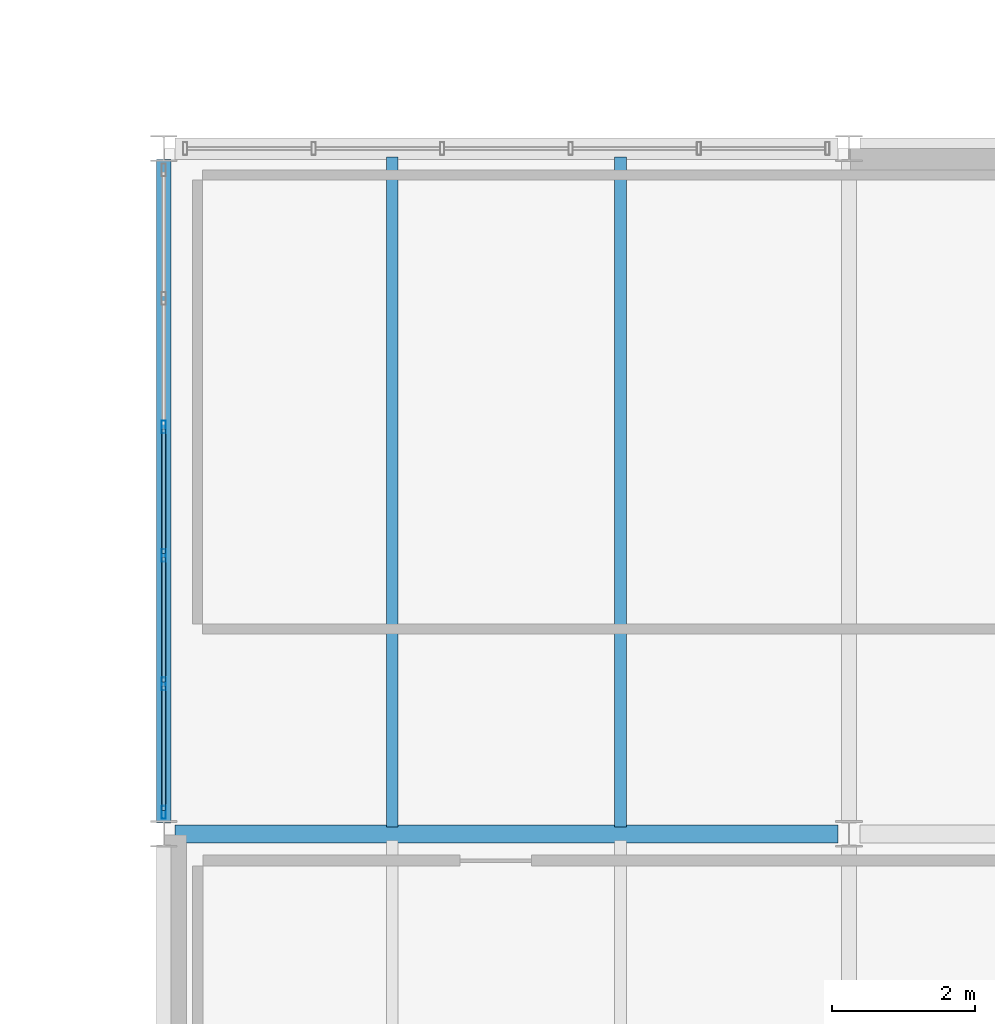
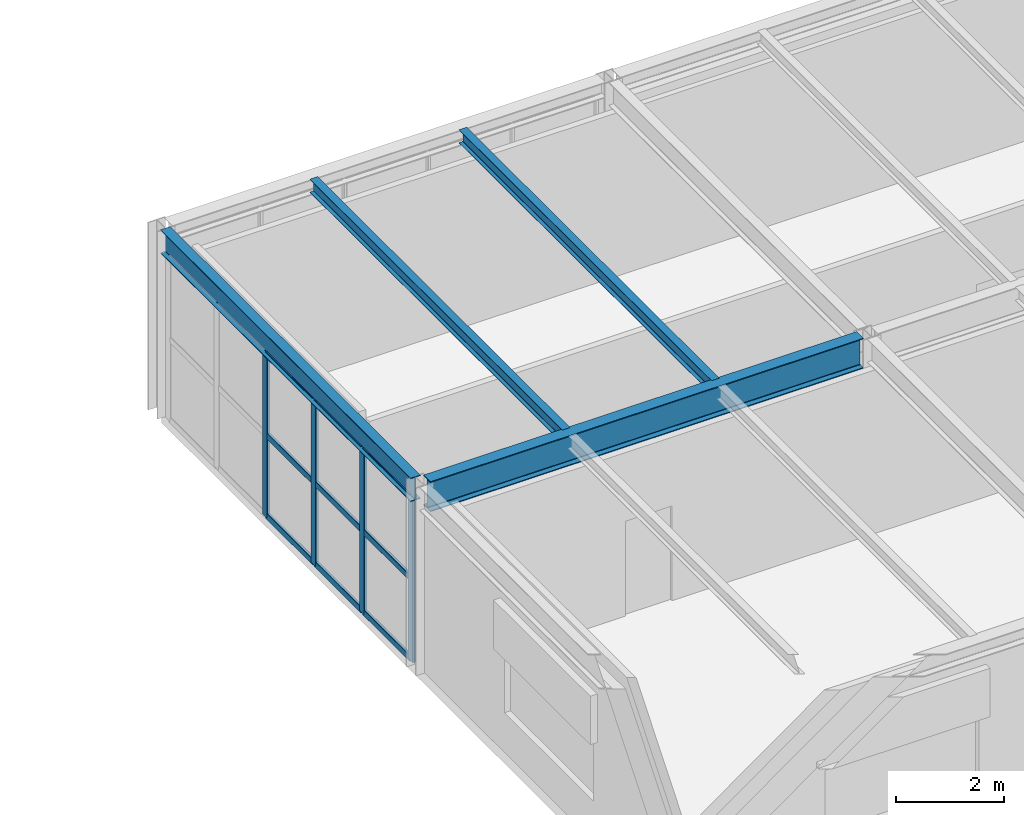
# One storey, part 115 of 170: 13 members, 4 beams, 1 element without a shape of its own.
"""IFC4 building model written with IfcOpenShell, lengths in metres."""

from ifc_helpers import new_model, si_unit, direction, frame, origin, origin_2d, place, context, subcontext, project, spatial, hollow_rectangle, i_section, extrude, material, material_profile, profile_set, type_object, element, aggregate, save


model = new_model("IFC4")

# Units and contexts
model_context = context("Model", 3, precision=1e-05, world=origin(), true_north=direction((0.0, 1.0)))
body_context = subcontext(model_context, "Body", "Model", "MODEL_VIEW")
ifc_project = project(units=[si_unit("LENGTHUNIT", "METRE"), si_unit("AREAUNIT", "SQUARE_METRE"), si_unit("VOLUMEUNIT", "CUBIC_METRE"), si_unit("PLANEANGLEUNIT", "RADIAN"), si_unit("MASSUNIT", "GRAM", prefix="KILO")], contexts=[model_context])

# Site, building, storey
site_placement = place(None, origin())
site = spatial("IfcSite", under=ifc_project, at=site_placement, CompositionType="ELEMENT")
building_placement = place(site_placement, origin())
building = spatial("IfcBuilding", under=site, at=building_placement, Name="Coralgate Yard Interchange", CompositionType="ELEMENT")
storey_placement = place(building_placement, frame((0.0, 0.0, 6.0)))
storey = spatial("IfcBuildingStorey", under=building, at=storey_placement, Name="L01", CompositionType="ELEMENT", Elevation=6.0)

# Beams
ifc_material_1 = material(Name="Structural steel S355J2", Category="steel")
ifc_material_profile_1 = material_profile(ifc_material_1, i_section(OverallWidth=0.209228515625, OverallDepth=0.533203125, WebThickness=0.010009765625, FlangeThickness=0.015625, FilletRadius=0.0126953125, at=origin_2d()), Name="UB 533x210x92")
ifc_profile_set_1 = profile_set([ifc_material_profile_1], Name="Structural steel S355J2")
beam_type_1 = type_object("IfcBeamType", Name="BM-SB-1", PredefinedType="BEAM", material=ifc_profile_set_1)
beam_1_placement = place(storey_placement, frame((134.39990234375, 9.754150390625, 3.9833984375), z_axis=(0.0, 1.0, 0.0), x_axis=(-1.0, 0.0, 0.0)))
element("IfcBeam", 1, at=beam_1_placement, inside=storey, type_object=beam_type_1, Name="L01 primary grid girder X14 Y1-2", PredefinedType="BEAM", context=body_context, shape_type="SweptSolid", body=[
    extrude(i_section(OverallWidth=0.209228515625, OverallDepth=0.533203125, WebThickness=0.010009765625, FlangeThickness=0.015625, FilletRadius=0.0126953125, at=origin_2d()), origin(), (0.0, 0.0, 1.0), 9.291748046875),
])
ifc_material_profile_2 = material_profile(ifc_material_1, i_section(OverallWidth=0.253662109375, OverallDepth=0.68359375, WebThickness=0.012451171875, FlangeThickness=0.01904296875, FilletRadius=0.01513671875, at=origin_2d()), Name="UB 686x254x140")
ifc_profile_set_2 = profile_set([ifc_material_profile_2], Name="Structural steel S355J2")
beam_type_2 = type_object("IfcBeamType", Name="BM-SG-4", PredefinedType="BEAM", material=ifc_profile_set_2)
beam_2_placement = place(storey_placement, frame((134.556396484375, 9.60009765625, 3.908203125), z_axis=(1.0, 0.0, 0.0), x_axis=(0.0, 1.0, 0.0)))
element("IfcBeam", 2, at=beam_2_placement, inside=storey, type_object=beam_type_2, Name="L01 primary grid beam Y1 X14-15", PredefinedType="BEAM", context=body_context, shape_type="SweptSolid", body=[
    extrude(i_section(OverallWidth=0.253662109375, OverallDepth=0.68359375, WebThickness=0.012451171875, FlangeThickness=0.01904296875, FilletRadius=0.01513671875, at=origin_2d()), origin(), (0.0, 0.0, 1.0), 9.287353515625),
])
ifc_material_profile_3 = material_profile(ifc_material_1, i_section(OverallWidth=0.1650390625, OverallDepth=0.303466796875, WebThickness=0.006103515625, FlangeThickness=0.01025390625, FilletRadius=0.0087890625, at=origin_2d()), Name="UB 305x165x40")
ifc_profile_set_3 = profile_set([ifc_material_profile_3], Name="Structural steel S355J2")
beam_type_3 = type_object("IfcBeamType", Name="BM-SJ-1", PredefinedType="JOIST", material=ifc_profile_set_3)
for number, where, z_axis, x_axis, name in (
    (3, (137.60009765625, 9.69677734375, 4.098388671875), (0.0, 1.0, 0.0), (-1.0, 0.0, 0.0), "L01 composite floor joist 14-1-1"),
    (4, (140.800048828125, 9.69677734375, 4.098388671875), (0.0, 1.0, 0.0), (-1.0, 0.0, 0.0), "L01 composite floor joist 14-1-2"),
):
    element("IfcBeam", number, at=place(storey_placement, frame(where, z_axis=z_axis, x_axis=x_axis)), inside=storey, type_object=beam_type_3, Name=name, PredefinedType="JOIST", context=body_context, shape_type="SweptSolid", body=[
        extrude(i_section(OverallWidth=0.1650390625, OverallDepth=0.303466796875, WebThickness=0.006103515625, FlangeThickness=0.01025390625, FilletRadius=0.0087890625, at=origin_2d()), origin(), (0.0, 0.0, 1.0), 9.38330078125),
    ])

# Curtain wall, members
ifc_material_2 = material(Name="Anodised coastal aluminium and solar-control low-E glass", Category="aluminium")
curtain_wall_type = type_object("IfcCurtainWallType", Name="CW-CW-L01-A", PredefinedType="NOTDEFINED", material=ifc_material_2)
curtain_wall_placement = place(storey_placement, origin())
curtain_wall = element("IfcCurtainWall", 5, at=curtain_wall_placement, inside=storey, type_object=curtain_wall_type, Name="L01 unitised curtain wall CW-L01-W-14-01", PredefinedType="NOTDEFINED")
ifc_material_3 = material(Name="Anodised coastal aluminium 6063-T6", Category="aluminium")
ifc_material_profile_4 = material_profile(ifc_material_3, hollow_rectangle(XDim=0.06005859375, YDim=0.179931640625, WallThickness=0.00390625, InnerFilletRadius=0.00390625, OuterFilletRadius=0.008056640625, at=origin_2d()), Name="ALU 60x180x4")
ifc_profile_set_4 = profile_set([ifc_material_profile_4], Name="Anodised coastal aluminium 6063-T6")
member_type_1 = type_object("IfcMemberType", Name="MB-MUL-180", PredefinedType="MULLION", material=ifc_profile_set_4)
member_1_placement = place(storey_placement, frame((134.39990234375, 9.89990234375, 0.0), z_axis=(0.0, 0.0, 1.0), x_axis=(1.0, 0.0, 0.0)))
member_1 = element("IfcMember", 6, at=member_1_placement, type_object=member_type_1, Name="CW-L01-W-14-01 vertical mullion 1", PredefinedType="MULLION", context=body_context, shape_type="SweptSolid", body=[
    extrude(hollow_rectangle(XDim=0.06005859375, YDim=0.179931640625, WallThickness=0.00390625, InnerFilletRadius=0.00390625, OuterFilletRadius=0.008056640625, at=origin_2d()), origin(), (0.0, 0.0, 1.0), 3.716796875),
])
member_2_placement = place(storey_placement, frame((134.39990234375, 11.699951171875, 0.0), z_axis=(0.0, 0.0, 1.0), x_axis=(1.0, 0.0, 0.0)))
member_2 = element("IfcMember", 7, at=member_2_placement, type_object=member_type_1, Name="CW-L01-W-14-01 vertical mullion 2", PredefinedType="MULLION", context=body_context, shape_type="SweptSolid", body=[
    extrude(hollow_rectangle(XDim=0.06005859375, YDim=0.179931640625, WallThickness=0.00390625, InnerFilletRadius=0.00390625, OuterFilletRadius=0.008056640625, at=origin_2d()), origin(), (0.0, 0.0, 1.0), 3.716796875),
])
member_3_placement = place(storey_placement, frame((134.39990234375, 13.5, 0.0), z_axis=(0.0, 0.0, 1.0), x_axis=(1.0, 0.0, 0.0)))
member_3 = element("IfcMember", 8, at=member_3_placement, type_object=member_type_1, Name="CW-L01-W-14-01 vertical mullion 3", PredefinedType="MULLION", context=body_context, shape_type="SweptSolid", body=[
    extrude(hollow_rectangle(XDim=0.06005859375, YDim=0.179931640625, WallThickness=0.00390625, InnerFilletRadius=0.00390625, OuterFilletRadius=0.008056640625, at=origin_2d()), origin(), (0.0, 0.0, 1.0), 3.716796875),
])
member_4_placement = place(storey_placement, frame((134.39990234375, 15.300048828125, 0.0), z_axis=(0.0, 0.0, 1.0), x_axis=(1.0, 0.0, 0.0)))
member_4 = element("IfcMember", 9, at=member_4_placement, type_object=member_type_1, Name="CW-L01-W-14-01 vertical mullion 4", PredefinedType="MULLION", context=body_context, shape_type="SweptSolid", body=[
    extrude(hollow_rectangle(XDim=0.06005859375, YDim=0.179931640625, WallThickness=0.00390625, InnerFilletRadius=0.00390625, OuterFilletRadius=0.008056640625, at=origin_2d()), origin(), (0.0, 0.0, 1.0), 3.716796875),
])
ifc_material_profile_5 = material_profile(ifc_material_3, hollow_rectangle(XDim=0.06005859375, YDim=0.139892578125, WallThickness=0.00341796875, InnerFilletRadius=0.00341796875, OuterFilletRadius=0.007080078125, at=origin_2d()), Name="ALU 60x140x3.5")
ifc_profile_set_5 = profile_set([ifc_material_profile_5], Name="Anodised coastal aluminium 6063-T6")
member_type_2 = type_object("IfcMemberType", Name="MB-TRN-140", PredefinedType="USERDEFINED", material=ifc_profile_set_5)
member_5_placement = place(storey_placement, frame((134.39990234375, 9.929931640625, 0.034912109375), z_axis=(0.0, 1.0, 0.0), x_axis=(-1.0, 0.0, 0.0)))
member_5 = element("IfcMember", 10, at=member_5_placement, type_object=member_type_2, Name="CW-L01-W-14-01 horizontal transom 1-1", ObjectType="TRANSOM", PredefinedType="USERDEFINED", context=body_context, shape_type="SweptSolid", body=[
    extrude(hollow_rectangle(XDim=0.06005859375, YDim=0.139892578125, WallThickness=0.00341796875, InnerFilletRadius=0.00341796875, OuterFilletRadius=0.007080078125, at=origin_2d()), origin(), (0.0, 0.0, 1.0), 1.739990234375),
])
member_6_placement = place(storey_placement, frame((134.39990234375, 9.929931640625, 1.8583984375), z_axis=(0.0, 1.0, 0.0), x_axis=(-1.0, 0.0, 0.0)))
member_6 = element("IfcMember", 11, at=member_6_placement, type_object=member_type_2, Name="CW-L01-W-14-01 horizontal transom 1-2", ObjectType="TRANSOM", PredefinedType="USERDEFINED", context=body_context, shape_type="SweptSolid", body=[
    extrude(hollow_rectangle(XDim=0.06005859375, YDim=0.139892578125, WallThickness=0.00341796875, InnerFilletRadius=0.00341796875, OuterFilletRadius=0.007080078125, at=origin_2d()), origin(), (0.0, 0.0, 1.0), 1.739990234375),
])
member_7_placement = place(storey_placement, frame((134.39990234375, 9.929931640625, 3.681884765625), z_axis=(0.0, 1.0, 0.0), x_axis=(-1.0, 0.0, 0.0)))
member_7 = element("IfcMember", 12, at=member_7_placement, type_object=member_type_2, Name="CW-L01-W-14-01 horizontal transom 1-3", ObjectType="TRANSOM", PredefinedType="USERDEFINED", context=body_context, shape_type="SweptSolid", body=[
    extrude(hollow_rectangle(XDim=0.06005859375, YDim=0.139892578125, WallThickness=0.00341796875, InnerFilletRadius=0.00341796875, OuterFilletRadius=0.007080078125, at=origin_2d()), origin(), (0.0, 0.0, 1.0), 1.739990234375),
])
member_8_placement = place(storey_placement, frame((134.39990234375, 11.72998046875, 0.034912109375), z_axis=(0.0, 1.0, 0.0), x_axis=(-1.0, 0.0, 0.0)))
member_8 = element("IfcMember", 13, at=member_8_placement, type_object=member_type_2, Name="CW-L01-W-14-01 horizontal transom 2-1", ObjectType="TRANSOM", PredefinedType="USERDEFINED", context=body_context, shape_type="SweptSolid", body=[
    extrude(hollow_rectangle(XDim=0.06005859375, YDim=0.139892578125, WallThickness=0.00341796875, InnerFilletRadius=0.00341796875, OuterFilletRadius=0.007080078125, at=origin_2d()), origin(), (0.0, 0.0, 1.0), 1.739990234375),
])
member_9_placement = place(storey_placement, frame((134.39990234375, 11.72998046875, 1.8583984375), z_axis=(0.0, 1.0, 0.0), x_axis=(-1.0, 0.0, 0.0)))
member_9 = element("IfcMember", 14, at=member_9_placement, type_object=member_type_2, Name="CW-L01-W-14-01 horizontal transom 2-2", ObjectType="TRANSOM", PredefinedType="USERDEFINED", context=body_context, shape_type="SweptSolid", body=[
    extrude(hollow_rectangle(XDim=0.06005859375, YDim=0.139892578125, WallThickness=0.00341796875, InnerFilletRadius=0.00341796875, OuterFilletRadius=0.007080078125, at=origin_2d()), origin(), (0.0, 0.0, 1.0), 1.739990234375),
])
member_10_placement = place(storey_placement, frame((134.39990234375, 11.72998046875, 3.681884765625), z_axis=(0.0, 1.0, 0.0), x_axis=(-1.0, 0.0, 0.0)))
member_10 = element("IfcMember", 15, at=member_10_placement, type_object=member_type_2, Name="CW-L01-W-14-01 horizontal transom 2-3", ObjectType="TRANSOM", PredefinedType="USERDEFINED", context=body_context, shape_type="SweptSolid", body=[
    extrude(hollow_rectangle(XDim=0.06005859375, YDim=0.139892578125, WallThickness=0.00341796875, InnerFilletRadius=0.00341796875, OuterFilletRadius=0.007080078125, at=origin_2d()), origin(), (0.0, 0.0, 1.0), 1.739990234375),
])
member_11_placement = place(storey_placement, frame((134.39990234375, 13.530029296875, 0.034912109375), z_axis=(0.0, 1.0, 0.0), x_axis=(-1.0, 0.0, 0.0)))
member_11 = element("IfcMember", 16, at=member_11_placement, type_object=member_type_2, Name="CW-L01-W-14-01 horizontal transom 3-1", ObjectType="TRANSOM", PredefinedType="USERDEFINED", context=body_context, shape_type="SweptSolid", body=[
    extrude(hollow_rectangle(XDim=0.06005859375, YDim=0.139892578125, WallThickness=0.00341796875, InnerFilletRadius=0.00341796875, OuterFilletRadius=0.007080078125, at=origin_2d()), origin(), (0.0, 0.0, 1.0), 1.739990234375),
])
member_12_placement = place(storey_placement, frame((134.39990234375, 13.530029296875, 1.8583984375), z_axis=(0.0, 1.0, 0.0), x_axis=(-1.0, 0.0, 0.0)))
member_12 = element("IfcMember", 17, at=member_12_placement, type_object=member_type_2, Name="CW-L01-W-14-01 horizontal transom 3-2", ObjectType="TRANSOM", PredefinedType="USERDEFINED", context=body_context, shape_type="SweptSolid", body=[
    extrude(hollow_rectangle(XDim=0.06005859375, YDim=0.139892578125, WallThickness=0.00341796875, InnerFilletRadius=0.00341796875, OuterFilletRadius=0.007080078125, at=origin_2d()), origin(), (0.0, 0.0, 1.0), 1.739990234375),
])
member_13_placement = place(storey_placement, frame((134.39990234375, 13.530029296875, 3.681884765625), z_axis=(0.0, 1.0, 0.0), x_axis=(-1.0, 0.0, 0.0)))
member_13 = element("IfcMember", 18, at=member_13_placement, type_object=member_type_2, Name="CW-L01-W-14-01 horizontal transom 3-3", ObjectType="TRANSOM", PredefinedType="USERDEFINED", context=body_context, shape_type="SweptSolid", body=[
    extrude(hollow_rectangle(XDim=0.06005859375, YDim=0.139892578125, WallThickness=0.00341796875, InnerFilletRadius=0.00341796875, OuterFilletRadius=0.007080078125, at=origin_2d()), origin(), (0.0, 0.0, 1.0), 1.739990234375),
])
aggregate(curtain_wall, [member_1, member_2, member_3, member_4, member_5, member_6, member_7, member_8, member_9, member_10, member_11, member_12, member_13])

save(model, "model.ifc")
